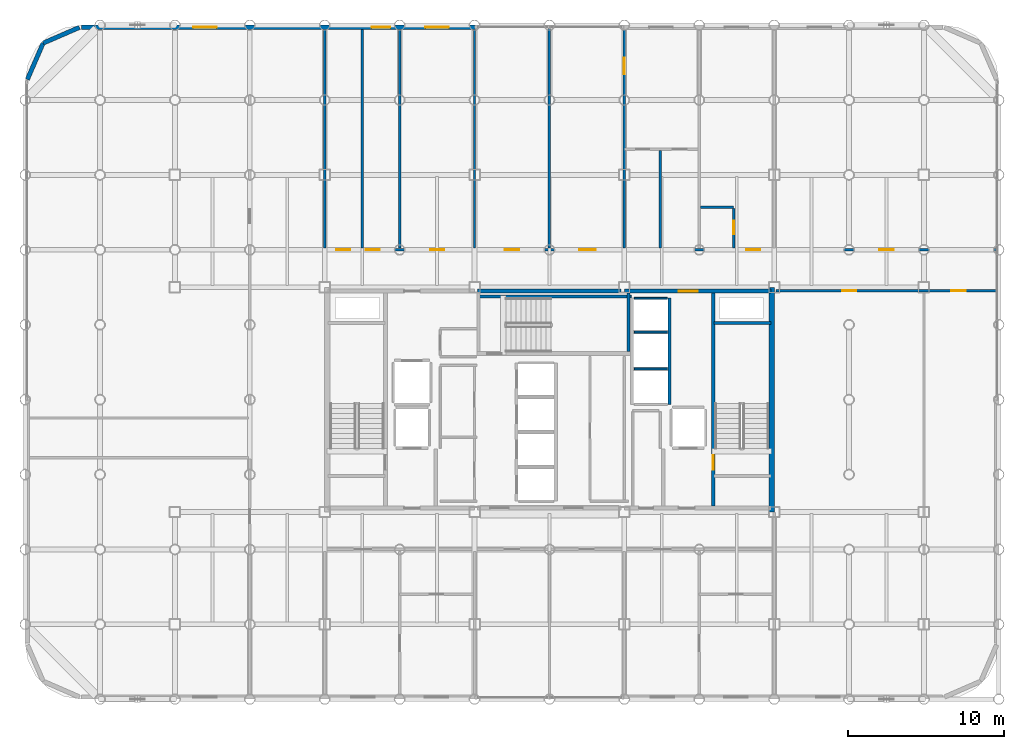
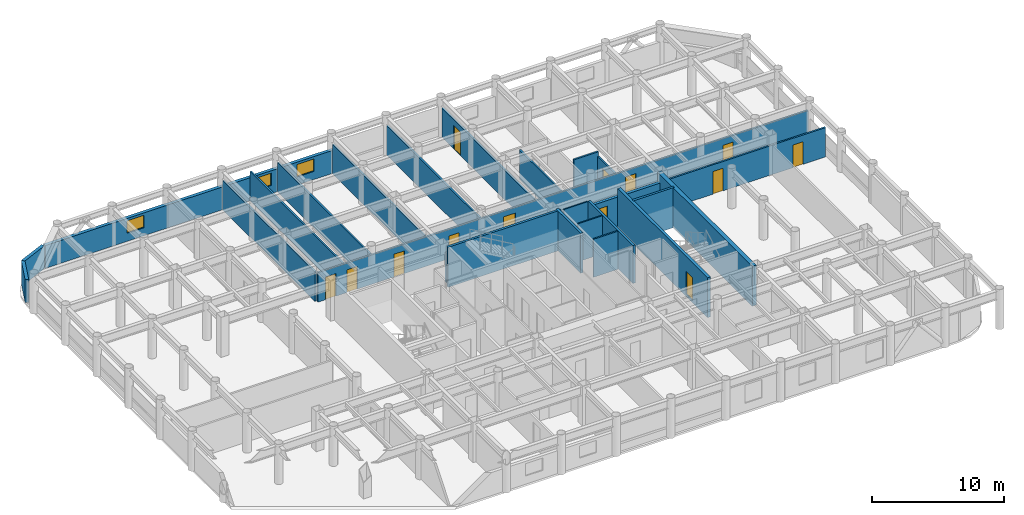
# One storey, part 18 of 20: 25 walls, 13 doors, 3 windows, 16 openings.
"""IFC4 building model written with IfcOpenShell, lengths in metres."""

from ifc_helpers import new_model, si_unit, direction, frame, frame_2d, origin, place, context, subcontext, project, spatial, rectangle, extrude, material, layer, layer_set, type_object, element, fill, save


model = new_model("IFC4")

# Units and contexts
model_context = context("Model", 3, precision=1e-05, world=origin(), true_north=direction((0.0, 1.0)))
body_context = subcontext(model_context, "Body", "Model", "MODEL_VIEW")
ifc_project = project(units=[si_unit("LENGTHUNIT", "METRE"), si_unit("AREAUNIT", "SQUARE_METRE"), si_unit("VOLUMEUNIT", "CUBIC_METRE"), si_unit("PLANEANGLEUNIT", "RADIAN"), si_unit("MASSUNIT", "GRAM", prefix="KILO")], contexts=[model_context])

# Site, building, storey
site_placement = place(None, origin())
site = spatial("IfcSite", under=ifc_project, at=site_placement, CompositionType="ELEMENT")
building_placement = place(site_placement, origin())
building = spatial("IfcBuilding", under=site, at=building_placement, Name="Kallvorn Hotel Tower", CompositionType="ELEMENT")
storey_placement = place(building_placement, frame((0.0, 0.0, 143.300048828125)))
storey = spatial("IfcBuildingStorey", under=building, at=storey_placement, Name="L35", CompositionType="ELEMENT", Elevation=143.300048828125)

# Wall
ifc_material_1 = material(Name="Concrete C50/60", Category="concrete")
ifc_layer_1 = layer(ifc_material_1, 0.35009765625)
ifc_layer_set_1 = layer_set([ifc_layer_1], Name="WL_CORE_350")
wall_type_1 = type_object("IfcWallType", Name="WL_CORE_350", PredefinedType="SHEAR", material=ifc_layer_set_1)
wall_1_placement = place(storey_placement, frame((14.239990234375, -7.199951171875, -0.179931640625), z_axis=(0.0, 0.0, 1.0), x_axis=(0.0, 1.0, 0.0)))
element("IfcWall", 1, at=wall_1_placement, inside=storey, type_object=wall_type_1, Name="L35 Core East Shear Wall", PredefinedType="SHEAR", context=body_context, shape_type="SweptSolid", body=[
    extrude(rectangle(XDim=14.39990234375, YDim=0.35009765625, at=frame_2d((7.199951171875, 0.0))), origin(), (0.0, 0.0, 1.0), 3.699951171875),
])

# Wall, openings, doors
ifc_material_2 = material(Name="Fire-rated double-layer acoustic gypsum drywall EI 60")
ifc_layer_2 = layer(ifc_material_2, 0.159912109375)
ifc_layer_set_2 = layer_set([ifc_layer_2], Name="WL_DEMISE_160")
wall_type_2 = type_object("IfcWallType", Name="WL_DEMISE_160", PredefinedType="PARTITIONING", material=ifc_layer_set_2)
wall_2_placement = place(storey_placement, frame((-14.320068359375, 9.60009765625, 0.0), z_axis=(0.0, 0.0, 1.0), x_axis=(1.0, 0.0, 0.0)))
wall_2 = element("IfcWall", 2, at=wall_2_placement, inside=storey, type_object=wall_type_2, Name="L35 Suite 3503 Junior Living Salon Partition", PredefinedType="PARTITIONING", context=body_context, shape_type="SweptSolid", body=[
    extrude(rectangle(XDim=42.949951171875, YDim=0.159912109375, at=frame_2d((21.47509765625, 0.0))), origin(), (0.0, 0.0, 1.0), 2.719970703125),
])
opening_1_placement = place(wall_2_placement, frame((35.469970703125, 0.0, 0.0)))
opening_1 = element("IfcOpeningElement", 3, at=opening_1_placement, cuts=wall_2, Name="Opening SVD1", PredefinedType="OPENING", context=body_context, shape_type="SweptSolid", body=[
    extrude(rectangle(XDim=0.89990234375, YDim=2.10009765625, at=frame_2d((0.449951171875, 1.050048828125))), frame((0.0, 0.094970703125, 0.0), z_axis=(0.0, -1.0, 0.0), x_axis=(1.0, 0.0, 0.0)), (0.0, 0.0, 1.0), 0.18994140625),
])
opening_2_placement = place(wall_2_placement, frame((0.669921875, 0.0, 0.0)))
opening_2 = element("IfcOpeningElement", 4, at=opening_2_placement, cuts=wall_2, Name="Opening SVD1", PredefinedType="OPENING", context=body_context, shape_type="SweptSolid", body=[
    extrude(rectangle(XDim=0.89990234375, YDim=2.10009765625, at=frame_2d((0.449951171875, 1.050048828125))), frame((0.0, 0.094970703125, 0.0), z_axis=(0.0, -1.0, 0.0), x_axis=(1.0, 0.0, 0.0)), (0.0, 0.0, 1.0), 0.18994140625),
])
opening_3_placement = place(wall_2_placement, frame((2.56005859375, 0.0, 0.0)))
opening_3 = element("IfcOpeningElement", 5, at=opening_3_placement, cuts=wall_2, Name="Opening SVD1", PredefinedType="OPENING", context=body_context, shape_type="SweptSolid", body=[
    extrude(rectangle(XDim=0.89990234375, YDim=2.10009765625, at=frame_2d((0.449951171875, 1.050048828125))), frame((0.0, 0.094970703125, 0.0), z_axis=(0.0, -1.0, 0.0), x_axis=(1.0, 0.0, 0.0)), (0.0, 0.0, 1.0), 0.18994140625),
])
opening_4_placement = place(wall_2_placement, frame((6.669921875, 0.0, 0.0)))
opening_4 = element("IfcOpeningElement", 6, at=opening_4_placement, cuts=wall_2, Name="Opening SVD1", PredefinedType="OPENING", context=body_context, shape_type="SweptSolid", body=[
    extrude(rectangle(XDim=0.89990234375, YDim=2.10009765625, at=frame_2d((0.449951171875, 1.050048828125))), frame((0.0, 0.094970703125, 0.0), z_axis=(0.0, -1.0, 0.0), x_axis=(1.0, 0.0, 0.0)), (0.0, 0.0, 1.0), 0.18994140625),
])
opening_5_placement = place(wall_2_placement, frame((11.469970703125, 0.0, 0.0)))
opening_5 = element("IfcOpeningElement", 7, at=opening_5_placement, cuts=wall_2, Name="Opening SVD1", PredefinedType="OPENING", context=body_context, shape_type="SweptSolid", body=[
    extrude(rectangle(XDim=0.89990234375, YDim=2.10009765625, at=frame_2d((0.449951171875, 1.050048828125))), frame((0.0, 0.094970703125, 0.0), z_axis=(0.0, -1.0, 0.0), x_axis=(1.0, 0.0, 0.0)), (0.0, 0.0, 1.0), 0.18994140625),
])
opening_6_placement = place(wall_2_placement, frame((16.235107421875, 0.0, 0.0)))
opening_6 = element("IfcOpeningElement", 8, at=opening_6_placement, cuts=wall_2, Name="Opening GD2", PredefinedType="OPENING", context=body_context, shape_type="SweptSolid", body=[
    extrude(rectangle(XDim=1.050048828125, YDim=2.199951171875, at=frame_2d((0.52490234375, 1.10009765625))), frame((0.0, 0.094970703125, 0.0), z_axis=(0.0, -1.0, 0.0), x_axis=(1.0, 0.0, 0.0)), (0.0, 0.0, 1.0), 0.18994140625),
])
opening_7_placement = place(wall_2_placement, frame((26.925048828125, 0.0, 0.0)))
opening_7 = element("IfcOpeningElement", 9, at=opening_7_placement, cuts=wall_2, Name="Opening GD1", PredefinedType="OPENING", context=body_context, shape_type="SweptSolid", body=[
    extrude(rectangle(XDim=0.919921875, YDim=2.14990234375, at=frame_2d((0.4599609375, 1.074951171875))), frame((0.0, 0.094970703125, 0.0), z_axis=(0.0, -1.0, 0.0), x_axis=(1.0, 0.0, 0.0)), (0.0, 0.0, 1.0), 0.18994140625),
])
ifc_material_3 = material(Name="Solid-core walnut veneer fire-rated timber door leaf", Category="wood")
door_type_1 = type_object("IfcDoorType", Name="DR_GUEST_920x2150", OperationType="NOTDEFINED", PredefinedType="DOOR", material=ifc_material_3)
door_1_placement = place(opening_7_placement, origin())
door_1 = element("IfcDoor", 10, at=door_1_placement, inside=storey, type_object=door_type_1, Name="L35 Suite 3504 Standard Twin Room Door", OperationType="SINGLE_SWING_RIGHT", OverallHeight=2.14990234375, OverallWidth=0.919921875, PredefinedType="DOOR", context=body_context, shape_type="SweptSolid", body=[
    extrude(rectangle(XDim=0.919921875, YDim=2.14990234375, at=frame_2d((0.4599609375, 1.074951171875))), frame((0.0, 0.02490234375, 0.0), z_axis=(0.0, -1.0, 0.0), x_axis=(1.0, 0.0, 0.0)), (0.0, 0.0, 1.0), 0.050048828125),
])
fill(opening_7, door_1)
ifc_material_4 = material(Name="Galvanised painted steel fire-rated door assembly", Category="steel")
door_type_2 = type_object("IfcDoorType", Name="DR_SERV_900x2100", OperationType="NOTDEFINED", PredefinedType="DOOR", material=ifc_material_4)
door_2_placement = place(opening_1_placement, origin())
door_2 = element("IfcDoor", 11, at=door_2_placement, inside=storey, type_object=door_type_2, Name="L35 L35 North-East Monserrate Banquet Hall Door", OperationType="SINGLE_SWING_RIGHT", OverallHeight=2.10009765625, OverallWidth=0.89990234375, PredefinedType="DOOR", context=body_context, shape_type="SweptSolid", body=[
    extrude(rectangle(XDim=0.89990234375, YDim=2.10009765625, at=frame_2d((0.449951171875, 1.050048828125))), frame((0.0, 0.02490234375, 0.0), z_axis=(0.0, -1.0, 0.0), x_axis=(1.0, 0.0, 0.0)), (0.0, 0.0, 1.0), 0.050048828125),
])
fill(opening_1, door_2)
door_3_placement = place(opening_2_placement, origin())
door_3 = element("IfcDoor", 12, at=door_3_placement, inside=storey, type_object=door_type_2, Name="L35 Housekeeping and Linen Room Door", OperationType="SINGLE_SWING_RIGHT", OverallHeight=2.10009765625, OverallWidth=0.89990234375, PredefinedType="DOOR", context=body_context, shape_type="SweptSolid", body=[
    extrude(rectangle(XDim=0.89990234375, YDim=2.10009765625, at=frame_2d((0.449951171875, 1.050048828125))), frame((0.0, 0.02490234375, 0.0), z_axis=(0.0, -1.0, 0.0), x_axis=(1.0, 0.0, 0.0)), (0.0, 0.0, 1.0), 0.050048828125),
])
fill(opening_2, door_3)
door_4_placement = place(opening_3_placement, origin())
door_4 = element("IfcDoor", 13, at=door_4_placement, inside=storey, type_object=door_type_2, Name="L35 Guest Tea and Refreshment Bar Door", OperationType="SINGLE_SWING_LEFT", OverallHeight=2.10009765625, OverallWidth=0.89990234375, PredefinedType="DOOR", context=body_context, shape_type="SweptSolid", body=[
    extrude(rectangle(XDim=0.89990234375, YDim=2.10009765625, at=frame_2d((0.449951171875, 1.050048828125))), frame((0.0, 0.02490234375, 0.0), z_axis=(0.0, -1.0, 0.0), x_axis=(1.0, 0.0, 0.0)), (0.0, 0.0, 1.0), 0.050048828125),
])
fill(opening_3, door_4)
door_5_placement = place(opening_4_placement, origin())
door_5 = element("IfcDoor", 14, at=door_5_placement, inside=storey, type_object=door_type_2, Name="L35 L35 Diplomatic Summit Conference Boardroom 2-1 Door", OperationType="SINGLE_SWING_LEFT", OverallHeight=2.10009765625, OverallWidth=0.89990234375, PredefinedType="DOOR", context=body_context, shape_type="SweptSolid", body=[
    extrude(rectangle(XDim=0.89990234375, YDim=2.10009765625, at=frame_2d((0.449951171875, 1.050048828125))), frame((0.0, 0.02490234375, 0.0), z_axis=(0.0, -1.0, 0.0), x_axis=(1.0, 0.0, 0.0)), (0.0, 0.0, 1.0), 0.050048828125),
])
fill(opening_4, door_5)
door_6_placement = place(opening_5_placement, origin())
door_6 = element("IfcDoor", 15, at=door_6_placement, inside=storey, type_object=door_type_2, Name="L35 L35 Diplomatic Summit Conference Boardroom 2-2 Door", OperationType="SINGLE_SWING_LEFT", OverallHeight=2.10009765625, OverallWidth=0.89990234375, PredefinedType="DOOR", context=body_context, shape_type="SweptSolid", body=[
    extrude(rectangle(XDim=0.89990234375, YDim=2.10009765625, at=frame_2d((0.449951171875, 1.050048828125))), frame((0.0, 0.02490234375, 0.0), z_axis=(0.0, -1.0, 0.0), x_axis=(1.0, 0.0, 0.0)), (0.0, 0.0, 1.0), 0.050048828125),
])
fill(opening_5, door_6)
ifc_material_5 = material(Name="Solid-core walnut veneer fire-rated timber door leaf", Category="wood")
door_type_3 = type_object("IfcDoorType", Name="DR_SUITE_1050x2200", OperationType="NOTDEFINED", PredefinedType="DOOR", material=ifc_material_5)
door_7_placement = place(opening_6_placement, origin())
door_7 = element("IfcDoor", 16, at=door_7_placement, inside=storey, type_object=door_type_3, Name="L35 Suite 3503 Junior Living Salon Door", OperationType="SINGLE_SWING_RIGHT", OverallHeight=2.199951171875, OverallWidth=1.050048828125, PredefinedType="DOOR", context=body_context, shape_type="SweptSolid", body=[
    extrude(rectangle(XDim=1.050048828125, YDim=2.199951171875, at=frame_2d((0.52490234375, 1.10009765625))), frame((0.0, 0.02490234375, 0.0), z_axis=(0.0, -1.0, 0.0), x_axis=(1.0, 0.0, 0.0)), (0.0, 0.0, 1.0), 0.050048828125),
])
fill(opening_6, door_7)

# Walls
wall_3_placement = place(storey_placement, frame((9.679931640625, 12.320068359375, 0.0), z_axis=(0.0, 0.0, 1.0), x_axis=(1.0, 0.0, 0.0)))
element("IfcWall", 17, at=wall_3_placement, inside=storey, type_object=wall_type_2, Name="L35 Suite 3504 Standard Twin Room Partition", PredefinedType="PARTITIONING", context=body_context, shape_type="SweptSolid", body=[
    extrude(rectangle(XDim=2.130126953125, YDim=0.159912109375, at=frame_2d((1.06494140625, 0.0))), origin(), (0.0, 0.0, 1.0), 3.119873046875),
])
wall_4_placement = place(storey_placement, frame((0.0, 9.719970703125, 0.0), z_axis=(0.0, 0.0, 1.0), x_axis=(0.0, 1.0, 0.0)))
element("IfcWall", 18, at=wall_4_placement, inside=storey, type_object=wall_type_2, Name="L35 Suite 3503 Junior Living Salon Partition", PredefinedType="PARTITIONING", context=body_context, shape_type="SweptSolid", body=[
    extrude(rectangle(XDim=14.074951171875, YDim=0.159912109375, at=frame_2d((7.03759765625, 0.0))), origin(), (0.0, 0.0, 1.0), 2.719970703125),
])

# Wall, opening, door
wall_5_placement = place(storey_placement, frame((4.800048828125, 9.719970703125, 0.0), z_axis=(0.0, 0.0, 1.0), x_axis=(0.0, 1.0, 0.0)))
wall_5 = element("IfcWall", 19, at=wall_5_placement, inside=storey, type_object=wall_type_2, Name="L35 Suite 3503 Junior Living Salon Partition", PredefinedType="PARTITIONING", context=body_context, shape_type="SweptSolid", body=[
    extrude(rectangle(XDim=13.989990234375, YDim=0.159912109375, at=frame_2d((6.9951171875, 0.0))), origin(), (0.0, 0.0, 1.0), 2.719970703125),
])
opening_8_placement = place(wall_5_placement, frame((11.136962890625, 0.0, 0.0)))
opening_8 = element("IfcOpeningElement", 20, at=opening_8_placement, cuts=wall_5, Name="Opening GD2", PredefinedType="OPENING", context=body_context, shape_type="SweptSolid", body=[
    extrude(rectangle(XDim=1.050048828125, YDim=2.199951171875, at=frame_2d((0.52490234375, 1.10009765625))), frame((0.0, 0.094970703125, 0.0), z_axis=(0.0, -1.0, 0.0), x_axis=(1.0, 0.0, 0.0)), (0.0, 0.0, 1.0), 0.18994140625),
])
door_8_placement = place(opening_8_placement, origin())
door_8 = element("IfcDoor", 21, at=door_8_placement, inside=storey, type_object=door_type_3, Name="L35 Suite 3503 Junior Bedroom Door", OperationType="SINGLE_SWING_LEFT", OverallHeight=2.199951171875, OverallWidth=1.050048828125, PredefinedType="DOOR", context=body_context, shape_type="SweptSolid", body=[
    extrude(rectangle(XDim=1.050048828125, YDim=2.199951171875, at=frame_2d((0.52490234375, 1.10009765625))), frame((0.0, 0.02490234375, 0.0), z_axis=(0.0, -1.0, 0.0), x_axis=(1.0, 0.0, 0.0)), (0.0, 0.0, 1.0), 0.050048828125),
])
fill(opening_8, door_8)

wall_6_placement = place(storey_placement, frame((11.81005859375, 9.719970703125, 0.0), z_axis=(0.0, 0.0, 1.0), x_axis=(0.0, 1.0, 0.0)))
wall_6 = element("IfcWall", 22, at=wall_6_placement, inside=storey, type_object=wall_type_2, Name="L35 Suite 3504 Standard Twin Room Partition", PredefinedType="PARTITIONING", context=body_context, shape_type="SweptSolid", body=[
    extrude(rectangle(XDim=2.51513671875, YDim=0.159912109375, at=frame_2d((1.257568359375, 0.0))), origin(), (0.0, 0.0, 1.0), 2.719970703125),
])
opening_9_placement = place(wall_6_placement, frame((0.8701171875, 0.0, 0.0)))
opening_9 = element("IfcOpeningElement", 23, at=opening_9_placement, cuts=wall_6, Name="Opening BD-I", PredefinedType="OPENING", context=body_context, shape_type="SweptSolid", body=[
    extrude(rectangle(XDim=0.860107421875, YDim=2.10009765625, at=frame_2d((0.43017578125, 1.050048828125))), frame((0.0, 0.094970703125, 0.0), z_axis=(0.0, -1.0, 0.0), x_axis=(1.0, 0.0, 0.0)), (0.0, 0.0, 1.0), 0.18994140625),
])
ifc_material_6 = material(Name="Solid-core walnut veneer fire-rated timber door leaf", Category="wood")
door_type_4 = type_object("IfcDoorType", Name="DR_BATH_860x2100", OperationType="NOTDEFINED", PredefinedType="DOOR", material=ifc_material_6)
door_9_placement = place(opening_9_placement, origin())
door_9 = element("IfcDoor", 24, at=door_9_placement, inside=storey, type_object=door_type_4, Name="L35 Suite 3504 En-Suite Bathroom Door", OperationType="SINGLE_SWING_LEFT", OverallHeight=2.10009765625, OverallWidth=0.860107421875, PredefinedType="DOOR", context=body_context, shape_type="SweptSolid", body=[
    extrude(rectangle(XDim=0.860107421875, YDim=2.10009765625, at=frame_2d((0.43017578125, 1.050048828125))), frame((0.0, 0.02490234375, 0.0), z_axis=(0.0, -1.0, 0.0), x_axis=(1.0, 0.0, 0.0)), (0.0, 0.0, 1.0), 0.050048828125),
])
fill(opening_9, door_9)

# Walls
ifc_material_7 = material(Name="Precast basalt-clad insulated concrete wall C40/50", Category="masonry")
ifc_layer_3 = layer(ifc_material_7, 0.280029296875)
ifc_layer_set_3 = layer_set([ifc_layer_3], Name="WL_EXT_LOGGIA_280")
wall_type_3 = type_object("IfcWallType", Name="WL_EXT_LOGGIA_280", PredefinedType="SOLIDWALL", material=ifc_layer_set_3)
wall_7_placement = place(storey_placement, frame((-30.120849609375, 23.85791015625, 0.0), z_axis=(0.0, 0.0, 1.0), x_axis=(-0.917060872934, -0.398747232384, 0.0)))
element("IfcWall", 25, at=wall_7_placement, inside=storey, type_object=wall_type_3, Name="L35 Rounded Corner Exterior Wall NW1", PredefinedType="SOLIDWALL", context=body_context, shape_type="SweptSolid", body=[
    extrude(rectangle(XDim=2.5361328125, YDim=0.280029296875, at=frame_2d((1.26806640625, 0.0))), origin(), (0.0, 0.0, 1.0), 2.119873046875),
])
wall_8_placement = place(storey_placement, frame((-32.446533203125, 22.8466796875, 0.0), z_axis=(0.0, 0.0, 1.0), x_axis=(-0.398792985289, -0.917040977756, 0.0)))
element("IfcWall", 26, at=wall_8_placement, inside=storey, type_object=wall_type_3, Name="L35 Rounded Corner Exterior Wall NW2", PredefinedType="SOLIDWALL", context=body_context, shape_type="SweptSolid", body=[
    extrude(rectangle(XDim=2.536376953125, YDim=0.280029296875, at=frame_2d((1.26806640625, 0.0))), origin(), (0.0, 0.0, 1.0), 2.119873046875),
])

# Wall, openings, windows
wall_9_placement = place(storey_placement, frame((-30.0, 23.860107421875, 0.0), z_axis=(0.0, 0.0, 1.0), x_axis=(1.0, 0.0, 0.0)))
wall_9 = element("IfcWall", 27, at=wall_9_placement, inside=storey, type_object=wall_type_3, Name="L35 Exterior Envelope Wall EW-L35-NW", PredefinedType="SOLIDWALL", context=body_context, shape_type="SweptSolid", body=[
    extrude(rectangle(XDim=25.25, YDim=0.280029296875, at=frame_2d((12.625, 0.0))), origin(), (0.0, 0.0, 1.0), 2.119873046875),
])
opening_10_placement = place(wall_9_placement, frame((7.1630859375, 0.0, 0.75)))
opening_10 = element("IfcOpeningElement", 28, at=opening_10_placement, cuts=wall_9, Name="Opening W05A", PredefinedType="OPENING", context=body_context, shape_type="SweptSolid", body=[
    extrude(rectangle(XDim=1.5, YDim=1.14990234375, at=frame_2d((0.75, 0.574951171875))), frame((0.0, 0.155029296875, 0.0), z_axis=(0.0, -1.0, 0.0), x_axis=(1.0, 0.0, 0.0)), (0.0, 0.0, 1.0), 0.31005859375),
])
opening_11_placement = place(wall_9_placement, frame((18.60009765625, 0.0, 0.75)))
opening_11 = element("IfcOpeningElement", 29, at=opening_11_placement, cuts=wall_9, Name="Opening W06A", PredefinedType="OPENING", context=body_context, shape_type="SweptSolid", body=[
    extrude(rectangle(XDim=1.199951171875, YDim=1.14990234375, at=frame_2d((0.60009765625, 0.574951171875))), frame((0.0, 0.155029296875, 0.0), z_axis=(0.0, -1.0, 0.0), x_axis=(1.0, 0.0, 0.0)), (0.0, 0.0, 1.0), 0.31005859375),
])
opening_12_placement = place(wall_9_placement, frame((22.050048828125, 0.0, 0.75)))
opening_12 = element("IfcOpeningElement", 30, at=opening_12_placement, cuts=wall_9, Name="Opening W05A", PredefinedType="OPENING", context=body_context, shape_type="SweptSolid", body=[
    extrude(rectangle(XDim=1.5, YDim=1.14990234375, at=frame_2d((0.75, 0.574951171875))), frame((0.0, 0.155029296875, 0.0), z_axis=(0.0, -1.0, 0.0), x_axis=(1.0, 0.0, 0.0)), (0.0, 0.0, 1.0), 0.31005859375),
])
ifc_material_8 = material(Name="Triple-glazed low-e acoustic solar-control dark glass", Category="glass")
window_type_1 = type_object("IfcWindowType", Name="WN_HTL_1200x1150", PartitioningType="SINGLE_PANEL", PredefinedType="WINDOW", material=ifc_material_8)
window_1_placement = place(opening_11_placement, origin())
window_1 = element("IfcWindow", 31, at=window_1_placement, inside=storey, type_object=window_type_1, Name="L35 Guestroom Exterior Window 09", OverallHeight=1.14990234375, OverallWidth=1.199951171875, PartitioningType="SINGLE_PANEL", PredefinedType="WINDOW", context=body_context, shape_type="SweptSolid", body=[
    extrude(rectangle(XDim=1.199951171875, YDim=1.14990234375, at=frame_2d((0.60009765625, 0.574951171875))), frame((0.0, 0.030029296875, 0.0), z_axis=(0.0, -1.0, 0.0), x_axis=(1.0, 0.0, 0.0)), (0.0, 0.0, 1.0), 0.06005859375),
])
fill(opening_11, window_1)
ifc_material_9 = material(Name="Double-glazed low-e solar-control dark glass", Category="glass")
window_type_2 = type_object("IfcWindowType", Name="WN_HTL_1500x1150", PartitioningType="SINGLE_PANEL", PredefinedType="WINDOW", material=ifc_material_9)
window_2_placement = place(opening_10_placement, origin())
window_2 = element("IfcWindow", 32, at=window_2_placement, inside=storey, type_object=window_type_2, Name="L35 Guestroom Exterior Window 02", OverallHeight=1.14990234375, OverallWidth=1.5, PartitioningType="SINGLE_PANEL", PredefinedType="WINDOW", context=body_context, shape_type="SweptSolid", body=[
    extrude(rectangle(XDim=1.5, YDim=1.14990234375, at=frame_2d((0.75, 0.574951171875))), frame((0.0, 0.030029296875, 0.0), z_axis=(0.0, -1.0, 0.0), x_axis=(1.0, 0.0, 0.0)), (0.0, 0.0, 1.0), 0.06005859375),
])
fill(opening_10, window_2)
window_3_placement = place(opening_12_placement, origin())
window_3 = element("IfcWindow", 33, at=window_3_placement, inside=storey, type_object=window_type_2, Name="L35 Guestroom Exterior Window 10", OverallHeight=1.14990234375, OverallWidth=1.5, PartitioningType="SINGLE_PANEL", PredefinedType="WINDOW", context=body_context, shape_type="SweptSolid", body=[
    extrude(rectangle(XDim=1.5, YDim=1.14990234375, at=frame_2d((0.75, 0.574951171875))), frame((0.0, 0.030029296875, 0.0), z_axis=(0.0, -1.0, 0.0), x_axis=(1.0, 0.0, 0.0)), (0.0, 0.0, 1.0), 0.06005859375),
])
fill(opening_12, window_3)

# Walls
ifc_material_10 = material(Name="Concrete C40/50", Category="concrete")
ifc_layer_4 = layer(ifc_material_10, 0.199951171875)
ifc_layer_set_4 = layer_set([ifc_layer_4], Name="WL_HOIST_200")
wall_type_4 = type_object("IfcWallType", Name="WL_HOIST_200", PredefinedType="SOLIDWALL", material=ifc_layer_set_4)
wall_10_placement = place(storey_placement, frame((10.550048828125, 4.89990234375, -0.179931640625), z_axis=(0.0, 0.0, 1.0), x_axis=(1.0, 0.0, 0.0)))
element("IfcWall", 34, at=wall_10_placement, inside=storey, type_object=wall_type_4, Name="L35 Stair ST2 North Wall", PredefinedType="SOLIDWALL", context=body_context, shape_type="SweptSolid", body=[
    extrude(rectangle(XDim=3.64990234375, YDim=0.199951171875, at=frame_2d((1.824951171875, 0.0))), origin(), (0.0, 0.0, 1.0), 3.699951171875),
])
wall_11_placement = place(storey_placement, frame((-4.64990234375, 6.610107421875, -0.179931640625), z_axis=(0.0, 0.0, 1.0), x_axis=(1.0, 0.0, 0.0)))
element("IfcWall", 35, at=wall_11_placement, inside=storey, type_object=wall_type_4, Name="L35 Stair ST3 Shaft North Wall", PredefinedType="SOLIDWALL", context=body_context, shape_type="SweptSolid", body=[
    extrude(rectangle(XDim=9.89990234375, YDim=0.199951171875, at=frame_2d((4.949951171875, 0.0))), origin(), (0.0, 0.0, 1.0), 3.699951171875),
])
wall_12_placement = place(storey_placement, frame((5.06005859375, 3.080078125, -0.179931640625), z_axis=(0.0, 0.0, 1.0), x_axis=(0.0, 1.0, 0.0)))
element("IfcWall", 36, at=wall_12_placement, inside=storey, type_object=wall_type_4, Name="L35 Stair ST3 East Wall", PredefinedType="SOLIDWALL", context=body_context, shape_type="SweptSolid", body=[
    extrude(rectangle(XDim=3.739990234375, YDim=0.199951171875, at=frame_2d((1.8701171875, 0.0))), origin(), (0.0, 0.0, 1.0), 3.699951171875),
])
wall_13_placement = place(storey_placement, frame((7.699951171875, -0.300048828125, 0.0), z_axis=(0.0, 0.0, 1.0), x_axis=(0.0, 1.0, 0.0)))
element("IfcWall", 37, at=wall_13_placement, inside=storey, type_object=wall_type_4, Name="L35 Lift Bank OBS Landing Wall", PredefinedType="SOLIDWALL", context=body_context, shape_type="SweptSolid", body=[
    extrude(rectangle(XDim=6.800048828125, YDim=0.199951171875, at=frame_2d((3.39990234375, 0.0))), origin(), (0.0, 0.0, 1.0), 3.52001953125),
])
ifc_material_11 = material(Name="Fire-rated double-layer acoustic gypsum drywall EI 60")
ifc_layer_5 = layer(ifc_material_11, 0.1201171875)
ifc_layer_set_5 = layer_set([ifc_layer_5], Name="WL_INT_120")
wall_type_5 = type_object("IfcWallType", Name="WL_INT_120", PredefinedType="PARTITIONING", material=ifc_layer_set_5)
for number, where, z_axis, x_axis, name in (
    (38, (5.43994140625, 1.97509765625, 0.0), (0.0, 0.0, 1.0), (1.0, 0.0, 0.0), "L35 OB-01 Hoistway Divider"),
    (39, (5.43994140625, 4.324951171875, 0.0), (0.0, 0.0, 1.0), (1.0, 0.0, 0.0), "L35 OB-02 Hoistway Divider"),
    (40, (5.43994140625, 6.5, 0.0), (0.0, 0.0, 1.0), (1.0, 0.0, 0.0), "L35 OB-03 Hoistway Divider"),
):
    element("IfcWall", number, at=place(storey_placement, frame(where, z_axis=z_axis, x_axis=x_axis)), inside=storey, type_object=wall_type_5, Name=name, PredefinedType="PARTITIONING", context=body_context, shape_type="SweptSolid", body=[
        extrude(rectangle(XDim=2.1201171875, YDim=0.1201171875, at=frame_2d((1.06005859375, 0.0))), origin(), (0.0, 0.0, 1.0), 3.52001953125),
    ])

# Wall, openings, doors
ifc_material_12 = material(Name="Fire-rated double-layer acoustic gypsum drywall EI 60")
ifc_layer_6 = layer(ifc_material_12, 0.14990234375)
ifc_layer_set_6 = layer_set([ifc_layer_6], Name="WL_PART_150")
wall_type_6 = type_object("IfcWallType", Name="WL_PART_150", PredefinedType="PARTITIONING", material=ifc_layer_set_6)
wall_14_placement = place(storey_placement, frame((14.52001953125, 6.97998046875, 0.0), z_axis=(0.0, 0.0, 1.0), x_axis=(1.0, 0.0, 0.0)))
wall_14 = element("IfcWall", 41, at=wall_14_placement, inside=storey, type_object=wall_type_6, Name="L35 L35 South-East Cocktail Bar Partition", PredefinedType="PARTITIONING", context=body_context, shape_type="SweptSolid", body=[
    extrude(rectangle(XDim=14.10986328125, YDim=0.14990234375, at=frame_2d((7.054931640625, 0.0))), origin(), (0.0, 0.0, 1.0), 2.719970703125),
])
opening_13_placement = place(wall_14_placement, frame((4.22998046875, 0.0, 0.0)))
opening_13 = element("IfcOpeningElement", 42, at=opening_13_placement, cuts=wall_14, Name="Opening SVD1", PredefinedType="OPENING", context=body_context, shape_type="SweptSolid", body=[
    extrude(rectangle(XDim=0.89990234375, YDim=2.10009765625, at=frame_2d((0.449951171875, 1.050048828125))), frame((0.0, 0.08984375, 0.0), z_axis=(0.0, -1.0, 0.0), x_axis=(1.0, 0.0, 0.0)), (0.0, 0.0, 1.0), 0.179931640625),
])
opening_14_placement = place(wall_14_placement, frame((11.2451171875, 0.0, 0.0)))
opening_14 = element("IfcOpeningElement", 43, at=opening_14_placement, cuts=wall_14, Name="Opening SVD1", PredefinedType="OPENING", context=body_context, shape_type="SweptSolid", body=[
    extrude(rectangle(XDim=0.89990234375, YDim=2.10009765625, at=frame_2d((0.449951171875, 1.050048828125))), frame((0.0, 0.08984375, 0.0), z_axis=(0.0, -1.0, 0.0), x_axis=(1.0, 0.0, 0.0)), (0.0, 0.0, 1.0), 0.179931640625),
])
door_10_placement = place(opening_13_placement, origin())
door_10 = element("IfcDoor", 44, at=door_10_placement, inside=storey, type_object=door_type_2, Name="L35 L35 South-East Cocktail Bar Door", OperationType="SINGLE_SWING_LEFT", OverallHeight=2.10009765625, OverallWidth=0.89990234375, PredefinedType="DOOR", context=body_context, shape_type="SweptSolid", body=[
    extrude(rectangle(XDim=0.89990234375, YDim=2.10009765625, at=frame_2d((0.449951171875, 1.050048828125))), frame((0.0, 0.02490234375, 0.0), z_axis=(0.0, -1.0, 0.0), x_axis=(1.0, 0.0, 0.0)), (0.0, 0.0, 1.0), 0.050048828125),
])
fill(opening_13, door_10)
door_11_placement = place(opening_14_placement, origin())
door_11 = element("IfcDoor", 45, at=door_11_placement, inside=storey, type_object=door_type_2, Name="L35 L35 Far-East Design Boutique Door", OperationType="SINGLE_SWING_RIGHT", OverallHeight=2.10009765625, OverallWidth=0.89990234375, PredefinedType="DOOR", context=body_context, shape_type="SweptSolid", body=[
    extrude(rectangle(XDim=0.89990234375, YDim=2.10009765625, at=frame_2d((0.449951171875, 1.050048828125))), frame((0.0, 0.02490234375, 0.0), z_axis=(0.0, -1.0, 0.0), x_axis=(1.0, 0.0, 0.0)), (0.0, 0.0, 1.0), 0.050048828125),
])
fill(opening_14, door_11)

# Walls
for number, where, z_axis, x_axis, name in (
    (46, (-14.39990234375, 9.719970703125, 0.0), (0.0, 0.0, 1.0), (0.0, 1.0, 0.0), "L35 Housekeeping and Linen Room Partition"),
    (47, (-12.0, 9.719970703125, 0.0), (0.0, 0.0, 1.0), (0.0, 1.0, 0.0), "L35 Guest Tea and Refreshment Bar Partition"),
    (48, (-9.60009765625, 9.719970703125, 0.0), (0.0, 0.0, 1.0), (0.0, 1.0, 0.0), "L35 Guest Tea and Refreshment Bar Partition"),
    (49, (-4.800048828125, 9.719970703125, 0.0), (0.0, 0.0, 1.0), (0.0, 1.0, 0.0), "L35 L35 Diplomatic Summit Conference Boardroom 2-1 Partition"),
):
    element("IfcWall", number, at=place(storey_placement, frame(where, z_axis=z_axis, x_axis=x_axis)), inside=storey, type_object=wall_type_6, Name=name, PredefinedType="PARTITIONING", context=body_context, shape_type="SweptSolid", body=[
        extrude(rectangle(XDim=13.989990234375, YDim=0.14990234375, at=frame_2d((6.9951171875, 0.0))), origin(), (0.0, 0.0, 1.0), 2.719970703125),
    ])
wall_15_placement = place(storey_placement, frame((7.106689453125, 9.719970703125, 0.0), z_axis=(0.0, 0.0, 1.0), x_axis=(0.0, 1.0, 0.0)))
element("IfcWall", 50, at=wall_15_placement, inside=storey, type_object=wall_type_6, Name="L35 Suite 3503 Walk-In Dressing Closet Partition", PredefinedType="PARTITIONING", context=body_context, shape_type="SweptSolid", body=[
    extrude(rectangle(XDim=6.2451171875, YDim=0.14990234375, at=frame_2d((3.12255859375, 0.0))), origin(), (0.0, 0.0, 1.0), 2.719970703125),
])
ifc_material_13 = material(Name="Concrete C40/50", Category="concrete")
ifc_layer_7 = layer(ifc_material_13, 0.25)
ifc_layer_set_7 = layer_set([ifc_layer_7], Name="WL_SHAFT_250")
wall_type_7 = type_object("IfcWallType", Name="WL_SHAFT_250", PredefinedType="SOLIDWALL", material=ifc_layer_set_7)
wall_16_placement = place(storey_placement, frame((-4.60009765625, 6.949951171875, 0.0), z_axis=(0.0, 0.0, 1.0), x_axis=(1.0, 0.0, 0.0)))
element("IfcWall", 51, at=wall_16_placement, inside=storey, type_object=wall_type_7, Name="L35 Core North-Central Wall", PredefinedType="SOLIDWALL", context=body_context, shape_type="SweptSolid", body=[
    extrude(rectangle(XDim=9.2001953125, YDim=0.25, at=frame_2d((4.60009765625, 0.0))), origin(), (0.0, 0.0, 1.0), 2.719970703125),
])

# Wall, opening, door
wall_17_placement = place(storey_placement, frame((4.800048828125, 6.949951171875, 0.0), z_axis=(0.0, 0.0, 1.0), x_axis=(1.0, 0.0, 0.0)))
wall_17 = element("IfcWall", 52, at=wall_17_placement, inside=storey, type_object=wall_type_7, Name="L35 Core North-East Wall", PredefinedType="SOLIDWALL", context=body_context, shape_type="SweptSolid", body=[
    extrude(rectangle(XDim=9.39990234375, YDim=0.25, at=frame_2d((4.699951171875, 0.0))), origin(), (0.0, 0.0, 1.0), 2.719970703125),
])
opening_15_placement = place(wall_17_placement, frame((3.5, 0.0, 0.0)))
opening_15 = element("IfcOpeningElement", 53, at=opening_15_placement, cuts=wall_17, Name="Opening FD2", PredefinedType="OPENING", context=body_context, shape_type="SweptSolid", body=[
    extrude(rectangle(XDim=1.199951171875, YDim=2.199951171875, at=frame_2d((0.60009765625, 1.10009765625))), frame((0.0, 0.139892578125, 0.0), z_axis=(0.0, -1.0, 0.0), x_axis=(1.0, 0.0, 0.0)), (0.0, 0.0, 1.0), 0.280029296875),
])
ifc_material_14 = material(Name="Galvanised painted steel fire-rated door assembly", Category="steel")
door_type_5 = type_object("IfcDoorType", Name="DR_LOBBY_1200x2200", OperationType="DOUBLE_DOOR_SINGLE_SWING", PredefinedType="DOOR", material=ifc_material_14)
door_12_placement = place(opening_15_placement, origin())
door_12 = element("IfcDoor", 54, at=door_12_placement, inside=storey, type_object=door_type_5, Name="L35 Observatory Shuttle Lobby Door", OperationType="DOUBLE_DOOR_SINGLE_SWING", OverallHeight=2.199951171875, OverallWidth=1.199951171875, PredefinedType="DOOR", context=body_context, shape_type="SweptSolid", body=[
    extrude(rectangle(XDim=1.199951171875, YDim=2.199951171875, at=frame_2d((0.60009765625, 1.10009765625))), frame((0.0, 0.02490234375, 0.0), z_axis=(0.0, -1.0, 0.0), x_axis=(1.0, 0.0, 0.0)), (0.0, 0.0, 1.0), 0.050048828125),
])
fill(opening_15, door_12)

wall_18_placement = place(storey_placement, frame((10.5, -6.820068359375, -0.179931640625), z_axis=(0.0, 0.0, 1.0), x_axis=(0.0, 1.0, 0.0)))
wall_18 = element("IfcWall", 55, at=wall_18_placement, inside=storey, type_object=wall_type_7, Name="L35 Stair ST2 Shaft Wall", PredefinedType="SOLIDWALL", context=body_context, shape_type="SweptSolid", body=[
    extrude(rectangle(XDim=13.64013671875, YDim=0.25, at=frame_2d((6.820068359375, 0.0))), origin(), (0.0, 0.0, 1.0), 3.699951171875),
])
opening_16_placement = place(wall_18_placement, frame((2.320068359375, 0.0, 0.179931640625)))
opening_16 = element("IfcOpeningElement", 56, at=opening_16_placement, cuts=wall_18, Name="Opening SD1", PredefinedType="OPENING", context=body_context, shape_type="SweptSolid", body=[
    extrude(rectangle(XDim=0.949951171875, YDim=2.14990234375, at=frame_2d((0.47509765625, 1.074951171875))), frame((0.0, 0.139892578125, 0.0), z_axis=(0.0, -1.0, 0.0), x_axis=(1.0, 0.0, 0.0)), (0.0, 0.0, 1.0), 0.280029296875),
])
ifc_material_15 = material(Name="Galvanised painted steel fire-rated door assembly", Category="steel")
door_type_6 = type_object("IfcDoorType", Name="DR_STAIR_950x2150", OperationType="NOTDEFINED", PredefinedType="DOOR", material=ifc_material_15)
door_13_placement = place(opening_16_placement, origin())
door_13 = element("IfcDoor", 57, at=door_13_placement, inside=storey, type_object=door_type_6, Name="L35 Exit Stair ST2 Fire Door", OperationType="SINGLE_SWING_LEFT", OverallHeight=2.14990234375, OverallWidth=0.949951171875, PredefinedType="DOOR", context=body_context, shape_type="SweptSolid", body=[
    extrude(rectangle(XDim=0.949951171875, YDim=2.14990234375, at=frame_2d((0.47509765625, 1.074951171875))), frame((0.0, 0.02490234375, 0.0), z_axis=(0.0, -1.0, 0.0), x_axis=(1.0, 0.0, 0.0)), (0.0, 0.0, 1.0), 0.050048828125),
])
fill(opening_16, door_13)

save(model, "model.ifc")
